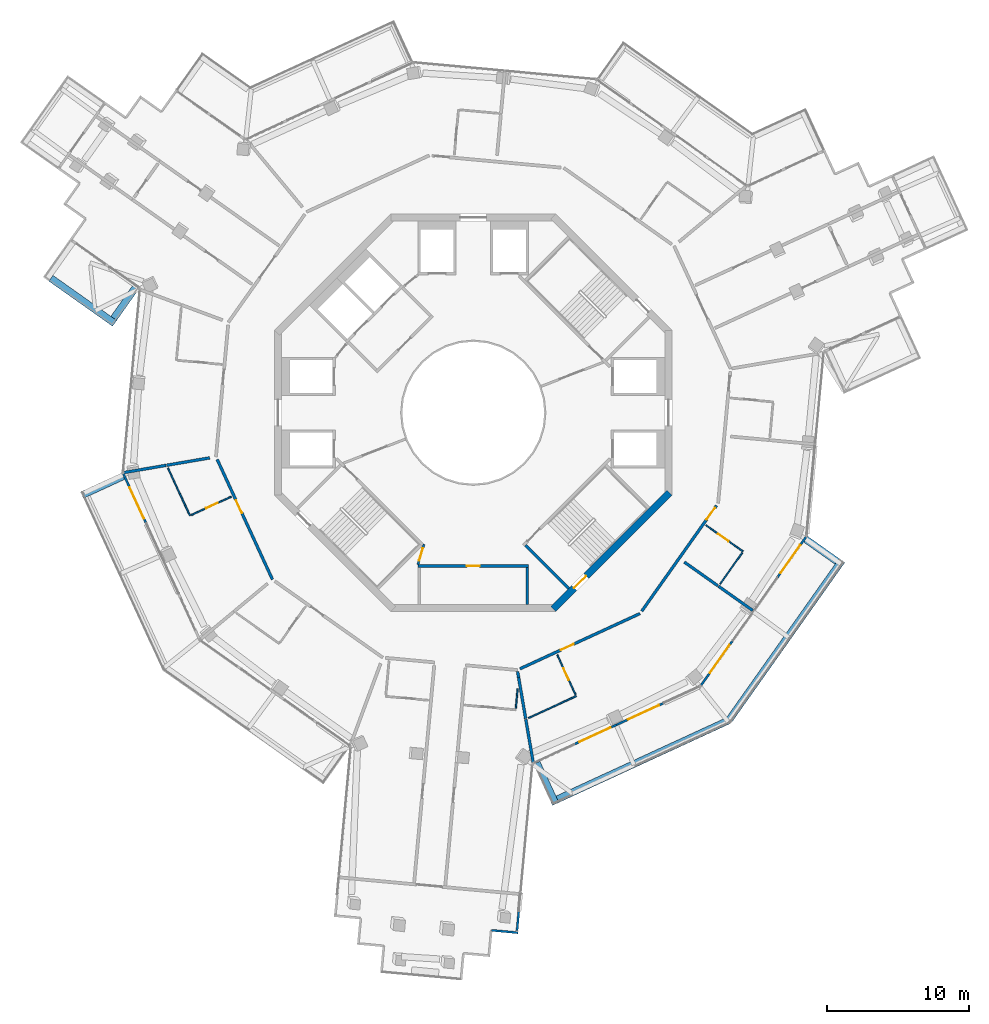
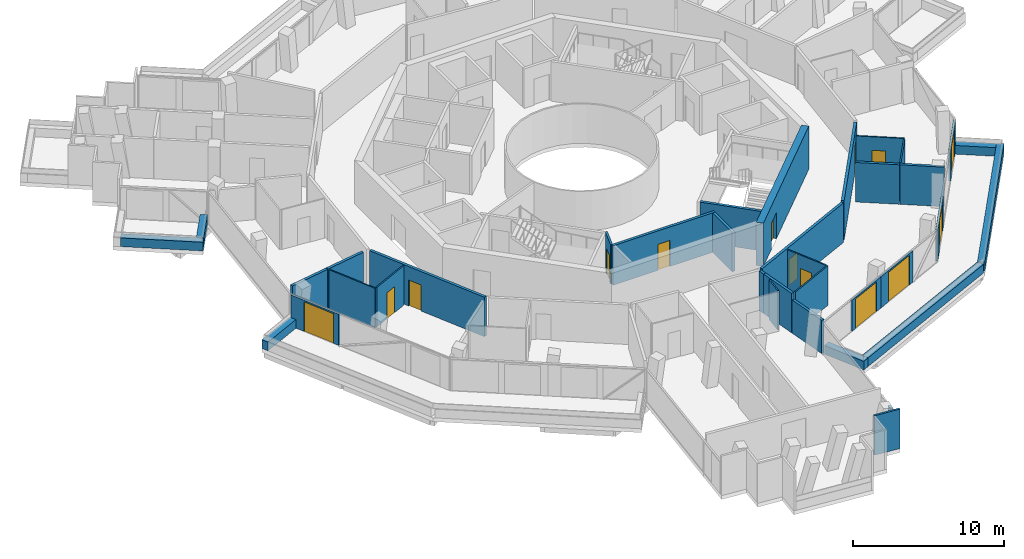
# One storey, part 16 of 23: 36 walls, 14 doors, 14 openings.
"""IFC4 building model written with IfcOpenShell, lengths in metres."""

from ifc_helpers import new_model, si_unit, direction, frame, frame_2d, origin, place, context, subcontext, project, spatial, rectangle, extrude, material, layer, layer_set, type_object, element, fill, save


model = new_model("IFC4")

# Units and contexts
model_context = context("Model", 3, precision=1e-05, world=origin(), true_north=direction((0.0, 1.0)))
body_context = subcontext(model_context, "Body", "Model", "MODEL_VIEW")
ifc_project = project(units=[si_unit("LENGTHUNIT", "METRE"), si_unit("AREAUNIT", "SQUARE_METRE"), si_unit("VOLUMEUNIT", "CUBIC_METRE"), si_unit("PLANEANGLEUNIT", "RADIAN"), si_unit("MASSUNIT", "GRAM", prefix="KILO")], contexts=[model_context])

# Site, building, storey
site_placement = place(None, origin())
site = spatial("IfcSite", under=ifc_project, at=site_placement, CompositionType="ELEMENT")
building_placement = place(site_placement, origin())
building = spatial("IfcBuilding", under=site, at=building_placement, Name="Verdalira Terraces Hotel", CompositionType="ELEMENT")
storey_placement = place(building_placement, frame((0.0, 0.0, 256.0)))
storey = spatial("IfcBuildingStorey", under=building, at=storey_placement, Name="L63", CompositionType="ELEMENT", Elevation=256.0)

# Walls
ifc_material_1 = material(Name="Concrete C40", Category="concrete")
ifc_layer_1 = layer(ifc_material_1, 0.5)
ifc_layer_set_1 = layer_set([ifc_layer_1], Name="Balcony planter trough with tree")
wall_type_1 = type_object("IfcWallType", Name="Balcony planter trough with tree", PredefinedType="SOLIDWALL", material=ifc_layer_set_1)
wall_1_placement = place(storey_placement, frame((-29.747559, 9.470703, 0.0), z_axis=(0.0, 0.0, 1.0), x_axis=(0.816360468, -0.577542714, 0.0)))
element("IfcWall", 1, at=wall_1_placement, inside=storey, type_object=wall_type_1, Name="Balcony planter", PredefinedType="SOLIDWALL", context=body_context, shape_type="SweptSolid", body=[
    extrude(rectangle(XDim=5.49585, YDim=0.5, at=frame_2d((2.748047, 0.0))), origin(), (0.0, 0.0, 1.0), 0.699951),
])
wall_2_placement = place(storey_placement, frame((-25.320801, 6.64502, 0.0), z_axis=(0.0, 0.0, 1.0), x_axis=(0.577552948, 0.816353227, 0.0)))
element("IfcWall", 2, at=wall_2_placement, inside=storey, type_object=wall_type_1, Name="Balcony planter", PredefinedType="SOLIDWALL", context=body_context, shape_type="SweptSolid", body=[
    extrude(rectangle(XDim=2.698975, YDim=0.5, at=frame_2d((1.349609, 0.0))), origin(), (0.0, 0.0, 1.0), 0.699951),
])
for number, where, z_axis, x_axis, name in (
    (3, (-24.649902, -4.467529, 0.0), (0.0, 0.0, 1.0), (-0.908343202, -0.418225571, 0.0), "Balcony planter"),
    (4, (4.467529, -24.649902, 0.0), (0.0, 0.0, 1.0), (0.418225571, -0.908343202, 0.0), "Balcony planter"),
):
    element("IfcWall", number, at=place(storey_placement, frame(where, z_axis=z_axis, x_axis=x_axis)), inside=storey, type_object=wall_type_1, Name=name, PredefinedType="SOLIDWALL", context=body_context, shape_type="SweptSolid", body=[
        extrude(rectangle(XDim=3.198975, YDim=0.5, at=frame_2d((1.599609, 0.0))), origin(), (0.0, 0.0, 1.0), 0.699951),
    ])
wall_3_placement = place(storey_placement, frame((5.927979, -27.224121, 0.0), z_axis=(0.0, 0.0, 1.0), x_axis=(0.908364238, 0.418179878, 0.0)))
element("IfcWall", 5, at=wall_3_placement, inside=storey, type_object=wall_type_1, Name="Balcony planter", PredefinedType="SOLIDWALL", context=body_context, shape_type="SweptSolid", body=[
    extrude(rectangle(XDim=13.223389, YDim=0.5, at=frame_2d((6.611816, 0.0))), origin(), (0.0, 0.0, 1.0), 0.699951),
])
wall_4_placement = place(storey_placement, frame((18.039062, -21.611572, 0.0), z_axis=(0.0, 0.0, 1.0), x_axis=(0.577575484, 0.816337283, 0.0)))
element("IfcWall", 6, at=wall_4_placement, inside=storey, type_object=wall_type_1, Name="Balcony planter", PredefinedType="SOLIDWALL", context=body_context, shape_type="SweptSolid", body=[
    extrude(rectangle(XDim=13.723389, YDim=0.5, at=frame_2d((6.861816, 0.0))), origin(), (0.0, 0.0, 1.0), 0.699951),
])
wall_5_placement = place(storey_placement, frame((25.616943, -10.468262, 0.0), z_axis=(0.0, 0.0, 1.0), x_axis=(-0.816353227, 0.577552948, 0.0)))
element("IfcWall", 7, at=wall_5_placement, inside=storey, type_object=wall_type_1, Name="Balcony planter", PredefinedType="SOLIDWALL", context=body_context, shape_type="SweptSolid", body=[
    extrude(rectangle(XDim=2.698975, YDim=0.5, at=frame_2d((1.349609, 0.0))), origin(), (0.0, 0.0, 1.0), 0.699951),
])
ifc_material_2 = material(Name="Moisture-resistant gypsum board partition")
ifc_layer_2 = layer(ifc_material_2, 0.10009765625)
ifc_layer_set_2 = layer_set([ifc_layer_2], Name="Bathroom partition 100 mm")
wall_type_2 = type_object("IfcWallType", Name="Bathroom partition 100 mm", PredefinedType="PARTITIONING", material=ifc_layer_set_2)
wall_6_placement = place(storey_placement, frame((-19.95459, -7.250977, 0.0), z_axis=(0.0, 0.0, 1.0), x_axis=(-0.418192811, 0.908358285, 0.0)))
element("IfcWall", 8, at=wall_6_placement, inside=storey, type_object=wall_type_2, Name="Bathroom partition", PredefinedType="PARTITIONING", context=body_context, shape_type="SweptSolid", body=[
    extrude(rectangle(XDim=3.704102, YDim=0.100098, at=frame_2d((1.852051, 0.0))), origin(), (0.0, 0.0, 1.0), 3.189941),
])

# Wall, opening, door
wall_7_placement = place(storey_placement, frame((-19.864014, -7.208984, 0.0), z_axis=(0.0, 0.0, 1.0), x_axis=(0.908360043, 0.418188991, 0.0)))
wall_7 = element("IfcWall", 9, at=wall_7_placement, inside=storey, type_object=wall_type_2, Name="Bathroom partition", PredefinedType="PARTITIONING", context=body_context, shape_type="SweptSolid", body=[
    extrude(rectangle(XDim=3.100098, YDim=0.100098, at=frame_2d((1.550049, 0.0))), origin(), (0.0, 0.0, 1.0), 3.189941),
])
opening_1_placement = place(wall_7_placement, frame((1.149902, 0.0, 0.0)))
opening_1 = element("IfcOpeningElement", 10, at=opening_1_placement, cuts=wall_7, Name="Opening L63-108", PredefinedType="OPENING", context=body_context, shape_type="SweptSolid", body=[
    extrude(rectangle(XDim=0.899902, YDim=2.100098, at=frame_2d((0.449951, 1.050049))), frame((0.0, 0.060059, 0.0), z_axis=(0.0, -1.0, 0.0), x_axis=(1.0, 0.0, 0.0)), (0.0, 0.0, 1.0), 0.120117),
])
ifc_material_3 = material(Name="Timber door", Category="wood")
door_type_1 = type_object("IfcDoorType", Name="Bathroom door 900 x 2100", OperationType="NOTDEFINED", PredefinedType="DOOR", material=ifc_material_3)
door_1_placement = place(opening_1_placement, origin())
door_1 = element("IfcDoor", 11, at=door_1_placement, inside=storey, type_object=door_type_1, Name="Bathroom door 6303", OperationType="SINGLE_SWING_LEFT", OverallHeight=2.10009765625, OverallWidth=0.89990234375, PredefinedType="DOOR", context=body_context, shape_type="SweptSolid", body=[
    extrude(rectangle(XDim=0.899902, YDim=2.100098, at=frame_2d((0.449951, 1.050049))), frame((0.0, 0.024902, 0.0), z_axis=(0.0, -1.0, 0.0), x_axis=(1.0, 0.0, 0.0)), (0.0, 0.0, 1.0), 0.050049),
])
fill(opening_1, door_1)

# Walls
wall_8_placement = place(storey_placement, frame((3.125244, -19.429688, 0.0), z_axis=(0.0, 0.0, 1.0), x_axis=(-0.091983488, -0.995760532, 0.0)))
element("IfcWall", 12, at=wall_8_placement, inside=storey, type_object=wall_type_2, Name="Bathroom partition", PredefinedType="PARTITIONING", context=body_context, shape_type="SweptSolid", body=[
    extrude(rectangle(XDim=1.398682, YDim=0.100098, at=frame_2d((0.699219, 0.0))), origin(), (0.0, 0.0, 1.0), 3.189941),
])
wall_9_placement = place(storey_placement, frame((7.250977, -19.95459, 0.0), z_axis=(0.0, 0.0, 1.0), x_axis=(-0.908358285, -0.418192811, 0.0)))
element("IfcWall", 13, at=wall_9_placement, inside=storey, type_object=wall_type_2, Name="Bathroom partition", PredefinedType="PARTITIONING", context=body_context, shape_type="SweptSolid", body=[
    extrude(rectangle(XDim=3.704102, YDim=0.100098, at=frame_2d((1.852051, 0.0))), origin(), (0.0, 0.0, 1.0), 3.189941),
])

# Wall, opening, door
wall_10_placement = place(storey_placement, frame((7.208984, -19.864014, 0.0), z_axis=(0.0, 0.0, 1.0), x_axis=(-0.418188991, 0.908360043, 0.0)))
wall_10 = element("IfcWall", 14, at=wall_10_placement, inside=storey, type_object=wall_type_2, Name="Bathroom partition", PredefinedType="PARTITIONING", context=body_context, shape_type="SweptSolid", body=[
    extrude(rectangle(XDim=3.100098, YDim=0.100098, at=frame_2d((1.550049, 0.0))), origin(), (0.0, 0.0, 1.0), 3.189941),
])
opening_2_placement = place(wall_10_placement, frame((1.149902, 0.0, 0.0)))
opening_2 = element("IfcOpeningElement", 15, at=opening_2_placement, cuts=wall_10, Name="Opening L63-116", PredefinedType="OPENING", context=body_context, shape_type="SweptSolid", body=[
    extrude(rectangle(XDim=0.899902, YDim=2.100098, at=frame_2d((0.449951, 1.050049))), frame((0.0, 0.060059, 0.0), z_axis=(0.0, -1.0, 0.0), x_axis=(1.0, 0.0, 0.0)), (0.0, 0.0, 1.0), 0.120117),
])
door_2_placement = place(opening_2_placement, origin())
door_2 = element("IfcDoor", 16, at=door_2_placement, inside=storey, type_object=door_type_1, Name="Bathroom door 6307", OperationType="SINGLE_SWING_LEFT", OverallHeight=2.10009765625, OverallWidth=0.89990234375, PredefinedType="DOOR", context=body_context, shape_type="SweptSolid", body=[
    extrude(rectangle(XDim=0.899902, YDim=2.100098, at=frame_2d((0.449951, 1.050049))), frame((0.0, 0.024902, 0.0), z_axis=(0.0, -1.0, 0.0), x_axis=(1.0, 0.0, 0.0)), (0.0, 0.0, 1.0), 0.050049),
])
fill(opening_2, door_2)

wall_11_placement = place(storey_placement, frame((19.005127, -9.771484, 0.0), z_axis=(0.0, 0.0, 1.0), x_axis=(-0.816318252, 0.577602382, 0.0)))
wall_11 = element("IfcWall", 17, at=wall_11_placement, inside=storey, type_object=wall_type_2, Name="Bathroom partition", PredefinedType="PARTITIONING", context=body_context, shape_type="SweptSolid", body=[
    extrude(rectangle(XDim=3.200195, YDim=0.100098, at=frame_2d((1.600098, 0.0))), origin(), (0.0, 0.0, 1.0), 3.189941),
])
opening_3_placement = place(wall_11_placement, frame((1.25, 0.0, 0.0)))
opening_3 = element("IfcOpeningElement", 18, at=opening_3_placement, cuts=wall_11, Name="Opening L63-118", PredefinedType="OPENING", context=body_context, shape_type="SweptSolid", body=[
    extrude(rectangle(XDim=0.899902, YDim=2.100098, at=frame_2d((0.449951, 1.050049))), frame((0.0, 0.060059, 0.0), z_axis=(0.0, -1.0, 0.0), x_axis=(1.0, 0.0, 0.0)), (0.0, 0.0, 1.0), 0.120117),
])
door_3_placement = place(opening_3_placement, origin())
door_3 = element("IfcDoor", 19, at=door_3_placement, inside=storey, type_object=door_type_1, Name="Bathroom door 6308", OperationType="SINGLE_SWING_LEFT", OverallHeight=2.10009765625, OverallWidth=0.89990234375, PredefinedType="DOOR", context=body_context, shape_type="SweptSolid", body=[
    extrude(rectangle(XDim=0.899902, YDim=2.100098, at=frame_2d((0.449951, 1.050049))), frame((0.0, 0.024902, 0.0), z_axis=(0.0, -1.0, 0.0), x_axis=(1.0, 0.0, 0.0)), (0.0, 0.0, 1.0), 0.050049),
])
fill(opening_3, door_3)

# Wall
wall_12_placement = place(storey_placement, frame((18.947266, -9.853027, 0.0), z_axis=(0.0, 0.0, 1.0), x_axis=(-0.57754557, -0.816358447, 0.0)))
element("IfcWall", 20, at=wall_12_placement, inside=storey, type_object=wall_type_2, Name="Bathroom partition", PredefinedType="PARTITIONING", context=body_context, shape_type="SweptSolid", body=[
    extrude(rectangle(XDim=2.699951, YDim=0.100098, at=frame_2d((1.350098, 0.0))), origin(), (0.0, 0.0, 1.0), 3.189941),
])

# Wall, opening, door
ifc_material_4 = material(Name="Concrete C50", Category="concrete")
ifc_layer_3 = layer(ifc_material_4, 0.199951171875)
ifc_layer_set_3 = layer_set([ifc_layer_3], Name="Core RC wall 200 C50")
wall_type_3 = type_object("IfcWallType", Name="Core RC wall 200 C50", PredefinedType="SOLIDWALL", material=ifc_layer_set_3)
wall_13_placement = place(storey_placement, frame((-3.899902, -10.800049, 0.0), z_axis=(0.0, 0.0, 1.0), x_axis=(1.0, 0.0, 0.0)))
wall_13 = element("IfcWall", 21, at=wall_13_placement, inside=storey, type_object=wall_type_3, Name="L63 store front wall", PredefinedType="SOLIDWALL", context=body_context, shape_type="SweptSolid", body=[
    extrude(rectangle(XDim=7.799805, YDim=0.199951, at=frame_2d((3.899902, 0.0))), origin(), (0.0, 0.0, 1.0), 3.189941),
])
opening_4_placement = place(wall_13_placement, frame((3.449951, 0.0, 0.0)))
opening_4 = element("IfcOpeningElement", 22, at=opening_4_placement, cuts=wall_13, Name="Opening L63-801", PredefinedType="OPENING", context=body_context, shape_type="SweptSolid", body=[
    extrude(rectangle(XDim=0.899902, YDim=2.100098, at=frame_2d((0.449951, 1.050049))), frame((0.0, 0.109863, 0.0), z_axis=(0.0, -1.0, 0.0), x_axis=(1.0, 0.0, 0.0)), (0.0, 0.0, 1.0), 0.219971),
])
ifc_material_5 = material(Name="Steel fire door", Category="steel")
door_type_2 = type_object("IfcDoorType", Name="Core room door 900 x 2100", OperationType="NOTDEFINED", PredefinedType="DOOR", material=ifc_material_5)
door_4_placement = place(opening_4_placement, origin())
door_4 = element("IfcDoor", 23, at=door_4_placement, inside=storey, type_object=door_type_2, Name="Store door L63 SS", OperationType="SINGLE_SWING_LEFT", OverallHeight=2.10009765625, OverallWidth=0.89990234375, PredefinedType="DOOR", context=body_context, shape_type="SweptSolid", body=[
    extrude(rectangle(XDim=0.899902, YDim=2.100098, at=frame_2d((0.449951, 1.050049))), frame((0.0, 0.024902, 0.0), z_axis=(0.0, -1.0, 0.0), x_axis=(1.0, 0.0, 0.0)), (0.0, 0.0, 1.0), 0.050049),
])
fill(opening_4, door_4)

# Walls
wall_14_placement = place(storey_placement, frame((3.800049, -10.899902, 0.0), z_axis=(0.0, 0.0, 1.0), x_axis=(0.0, -1.0, 0.0)))
element("IfcWall", 24, at=wall_14_placement, inside=storey, type_object=wall_type_3, Name="L63 store side wall", PredefinedType="SOLIDWALL", context=body_context, shape_type="SweptSolid", body=[
    extrude(rectangle(XDim=2.600098, YDim=0.199951, at=frame_2d((1.300049, 0.0))), origin(), (0.0, 0.0, 1.0), 3.189941),
])
wall_15_placement = place(storey_placement, frame((3.677002, -9.33374, 0.0), z_axis=(0.0, 0.0, 1.0), x_axis=(0.707078393, -0.707135168, 0.0)))
element("IfcWall", 25, at=wall_15_placement, inside=storey, type_object=wall_type_3, Name="L63 stair ST3 end wall 1", PredefinedType="SOLIDWALL", context=body_context, shape_type="SweptSolid", body=[
    extrude(rectangle(XDim=4.300049, YDim=0.199951, at=frame_2d((2.149902, 0.0))), origin(), (0.0, 0.0, 1.0), 3.189941),
])

# Wall, opening, door
ifc_material_6 = material(Name="Gypsum board partition")
ifc_layer_4 = layer(ifc_material_6, 0.14990234375)
ifc_layer_set_4 = layer_set([ifc_layer_4], Name="Core partition 150 mm")
wall_type_4 = type_object("IfcWallType", Name="Core partition 150 mm", PredefinedType="PARTITIONING", material=ifc_layer_set_4)
wall_16_placement = place(storey_placement, frame((-3.464844, -9.263184, 0.0), z_axis=(0.0, 0.0, 1.0), x_axis=(-0.289808785, -0.957084567, 0.0)))
wall_16 = element("IfcWall", 26, at=wall_16_placement, inside=storey, type_object=wall_type_4, Name="Room partition L63", PredefinedType="PARTITIONING", context=body_context, shape_type="SweptSolid", body=[
    extrude(rectangle(XDim=1.501221, YDim=0.149902, at=frame_2d((0.750488, 0.0))), origin(), (0.0, 0.0, 1.0), 3.189941),
])
opening_5_placement = place(wall_16_placement, frame((0.300781, 0.0, 0.0)))
opening_5 = element("IfcOpeningElement", 27, at=opening_5_placement, cuts=wall_16, Name="Opening L63-822", PredefinedType="OPENING", context=body_context, shape_type="SweptSolid", body=[
    extrude(rectangle(XDim=0.899902, YDim=2.100098, at=frame_2d((0.449951, 1.050049))), frame((0.0, 0.084961, 0.0), z_axis=(0.0, -1.0, 0.0), x_axis=(1.0, 0.0, 0.0)), (0.0, 0.0, 1.0), 0.169922),
])
door_5_placement = place(opening_5_placement, origin())
door_5 = element("IfcDoor", 28, at=door_5_placement, inside=storey, type_object=door_type_2, Name="Door L63 room5", OperationType="SINGLE_SWING_LEFT", OverallHeight=2.10009765625, OverallWidth=0.89990234375, PredefinedType="DOOR", context=body_context, shape_type="SweptSolid", body=[
    extrude(rectangle(XDim=0.899902, YDim=2.100098, at=frame_2d((0.449951, 1.050049))), frame((0.0, 0.024902, 0.0), z_axis=(0.0, -1.0, 0.0), x_axis=(1.0, 0.0, 0.0)), (0.0, 0.0, 1.0), 0.050049),
])
fill(opening_5, door_5)

ifc_material_7 = material(Name="Concrete C50", Category="concrete")
ifc_layer_5 = layer(ifc_material_7, 0.5)
ifc_layer_set_5 = layer_set([ifc_layer_5], Name="Core wall 500 C50")
wall_type_5 = type_object("IfcWallType", Name="Core wall 500 C50", PredefinedType="SHEAR", material=ifc_layer_set_5)
wall_17_placement = place(storey_placement, frame((5.622314, -13.823242, 0.0), z_axis=(0.0, 0.0, 1.0), x_axis=(0.707106781, 0.707106781, 0.0)))
wall_17 = element("IfcWall", 29, at=wall_17_placement, inside=storey, type_object=wall_type_5, Name="Core wall CW-L63-8", PredefinedType="SHEAR", context=body_context, shape_type="SweptSolid", body=[
    extrude(rectangle(XDim=11.5979, YDim=0.5, at=frame_2d((5.798828, 0.0))), origin(), (0.0, 0.0, 1.0), 3.5),
])
opening_6_placement = place(wall_17_placement, frame((2.099121, 0.0, 0.0)))
opening_6 = element("IfcOpeningElement", 30, at=opening_6_placement, cuts=wall_17, Name="Opening L63-818", PredefinedType="OPENING", context=body_context, shape_type="SweptSolid", body=[
    extrude(rectangle(XDim=1.199951, YDim=2.100098, at=frame_2d((0.600098, 1.050049))), frame((0.0, 0.26001, 0.0), z_axis=(0.0, -1.0, 0.0), x_axis=(1.0, 0.0, 0.0)), (0.0, 0.0, 1.0), 0.52002),
])
ifc_material_8 = material(Name="Steel fire door", Category="steel")
door_type_3 = type_object("IfcDoorType", Name="Stair door 1200 x 2100", OperationType="NOTDEFINED", PredefinedType="DOOR", material=ifc_material_8)
door_6_placement = place(opening_6_placement, origin())
door_6 = element("IfcDoor", 31, at=door_6_placement, inside=storey, type_object=door_type_3, Name="Stair exit door ST3 L63", OperationType="SINGLE_SWING_LEFT", OverallHeight=2.10009765625, OverallWidth=1.199951171875, PredefinedType="DOOR", context=body_context, shape_type="SweptSolid", body=[
    extrude(rectangle(XDim=1.199951, YDim=2.100098, at=frame_2d((0.600098, 1.050049))), frame((0.0, 0.024902, 0.0), z_axis=(0.0, -1.0, 0.0), x_axis=(1.0, 0.0, 0.0)), (0.0, 0.0, 1.0), 0.050049),
])
fill(opening_6, door_6)

# Walls
ifc_material_9 = material(Name="Fire-rated gypsum board wall")
ifc_layer_6 = layer(ifc_material_9, 0.199951171875)
ifc_layer_set_6 = layer_set([ifc_layer_6], Name="Demising wall 200 mm")
wall_type_6 = type_object("IfcWallType", Name="Demising wall 200 mm", PredefinedType="SOLIDWALL", material=ifc_layer_set_6)
wall_18_placement = place(storey_placement, frame((-21.637451, -3.706299, 0.0), z_axis=(0.0, 0.0, 1.0), x_axis=(-0.985638837, -0.168867058, 0.0)))
element("IfcWall", 32, at=wall_18_placement, inside=storey, type_object=wall_type_6, Name="Demising wall", PredefinedType="SOLIDWALL", context=body_context, shape_type="SweptSolid", body=[
    extrude(rectangle(XDim=3.011475, YDim=0.199951, at=frame_2d((1.505859, 0.0))), origin(), (0.0, 0.0, 1.0), 3.189941),
])
wall_19_placement = place(storey_placement, frame((-18.561768, -3.179443, 0.0), z_axis=(0.0, 0.0, 1.0), x_axis=(-0.985647935, -0.168813946, 0.0)))
element("IfcWall", 33, at=wall_19_placement, inside=storey, type_object=wall_type_6, Name="Demising wall", PredefinedType="SOLIDWALL", context=body_context, shape_type="SweptSolid", body=[
    extrude(rectangle(XDim=3.074707, YDim=0.199951, at=frame_2d((1.537354, 0.0))), origin(), (0.0, 0.0, 1.0), 3.189941),
])
wall_20_placement = place(storey_placement, frame((3.121338, -18.2229, 0.0), z_axis=(0.0, 0.0, 1.0), x_axis=(0.16885695, -0.985640569, 0.0)))
element("IfcWall", 34, at=wall_20_placement, inside=storey, type_object=wall_type_6, Name="Demising wall", PredefinedType="SOLIDWALL", context=body_context, shape_type="SweptSolid", body=[
    extrude(rectangle(XDim=0.443848, YDim=0.199951, at=frame_2d((0.221924, 0.0))), origin(), (0.0, 0.0, 1.0), 3.189941),
])
wall_21_placement = place(storey_placement, frame((3.196289, -18.6604, 0.0), z_axis=(0.0, 0.0, 1.0), x_axis=(0.168878085, -0.985636948, 0.0)))
element("IfcWall", 35, at=wall_21_placement, inside=storey, type_object=wall_type_6, Name="Demising wall", PredefinedType="SOLIDWALL", context=body_context, shape_type="SweptSolid", body=[
    extrude(rectangle(XDim=2.924561, YDim=0.199951, at=frame_2d((1.462402, 0.0))), origin(), (0.0, 0.0, 1.0), 3.189941),
])
wall_22_placement = place(storey_placement, frame((14.861816, -10.515137, 0.0), z_axis=(0.0, 0.0, 1.0), x_axis=(0.816343151, -0.577567191, 0.0)))
element("IfcWall", 36, at=wall_22_placement, inside=storey, type_object=wall_type_6, Name="Demising wall", PredefinedType="SOLIDWALL", context=body_context, shape_type="SweptSolid", body=[
    extrude(rectangle(XDim=2.904785, YDim=0.199951, at=frame_2d((1.452393, 0.0))), origin(), (0.0, 0.0, 1.0), 3.189941),
])
wall_23_placement = place(storey_placement, frame((17.270752, -12.219238, 0.0), z_axis=(0.0, 0.0, 1.0), x_axis=(0.816307209, -0.577617989, 0.0)))
element("IfcWall", 37, at=wall_23_placement, inside=storey, type_object=wall_type_6, Name="Demising wall", PredefinedType="SOLIDWALL", context=body_context, shape_type="SweptSolid", body=[
    extrude(rectangle(XDim=2.951904, YDim=0.199951, at=frame_2d((1.476074, 0.0))), origin(), (0.0, 0.0, 1.0), 3.189941),
])
ifc_material_10 = material(Name="Fire-rated gypsum board wall")
ifc_layer_7 = layer(ifc_material_10, 0.199951171875)
ifc_layer_set_7 = layer_set([ifc_layer_7], Name="Demising wall 200 mm to beam soffit")
wall_type_7 = type_object("IfcWallType", Name="Demising wall 200 mm to beam soffit", PredefinedType="SOLIDWALL", material=ifc_layer_set_7)
wall_24_placement = place(storey_placement, frame((3.697998, -21.588135, 0.0), z_axis=(0.0, 0.0, 1.0), x_axis=(0.168819944, -0.985646908, 0.0)))
element("IfcWall", 38, at=wall_24_placement, inside=storey, type_object=wall_type_7, Name="Demising wall", PredefinedType="SOLIDWALL", context=body_context, shape_type="SweptSolid", body=[
    extrude(rectangle(XDim=3.061523, YDim=0.199951, at=frame_2d((1.530762, 0.0))), origin(), (0.0, 0.0, 1.0), 2.689941),
])

# Wall, opening, door
ifc_material_11 = material(Name="Fire-rated gypsum board wall")
ifc_layer_8 = layer(ifc_material_11, 0.199951171875)
ifc_layer_set_8 = layer_set([ifc_layer_8], Name="Guest corridor wall 200 mm")
wall_type_8 = type_object("IfcWallType", Name="Guest corridor wall 200 mm", PredefinedType="SOLIDWALL", material=ifc_layer_set_8)
wall_25_placement = place(storey_placement, frame((-14.141113, -11.748535, 0.0), z_axis=(0.0, 0.0, 1.0), x_axis=(-0.418177241, 0.908365452, 0.0)))
wall_25 = element("IfcWall", 39, at=wall_25_placement, inside=storey, type_object=wall_type_8, Name="Guest corridor wall", PredefinedType="SOLIDWALL", context=body_context, shape_type="SweptSolid", body=[
    extrude(rectangle(XDim=9.31665, YDim=0.199951, at=frame_2d((4.658203, 0.0))), origin(), (0.0, 0.0, 1.0), 3.189941),
])
opening_7_placement = place(wall_25_placement, frame((5.149902, 0.0, 0.0)))
opening_7 = element("IfcOpeningElement", 40, at=opening_7_placement, cuts=wall_25, Name="Opening L63-107", PredefinedType="OPENING", context=body_context, shape_type="SweptSolid", body=[
    extrude(rectangle(XDim=1.0, YDim=2.100098, at=frame_2d((0.5, 1.050049))), frame((0.0, 0.109863, 0.0), z_axis=(0.0, -1.0, 0.0), x_axis=(1.0, 0.0, 0.0)), (0.0, 0.0, 1.0), 0.219971),
])
ifc_material_12 = material(Name="Timber fire door", Category="wood")
door_type_4 = type_object("IfcDoorType", Name="Guest entry door 1000 x 2100", OperationType="NOTDEFINED", PredefinedType="DOOR", material=ifc_material_12)
door_7_placement = place(opening_7_placement, origin())
door_7 = element("IfcDoor", 41, at=door_7_placement, inside=storey, type_object=door_type_4, Name="Guest entry door 6303", OperationType="SINGLE_SWING_LEFT", OverallHeight=2.10009765625, OverallWidth=1.0, PredefinedType="DOOR", context=body_context, shape_type="SweptSolid", body=[
    extrude(rectangle(XDim=1.0, YDim=2.100098, at=frame_2d((0.5, 1.050049))), frame((0.0, 0.024902, 0.0), z_axis=(0.0, -1.0, 0.0), x_axis=(1.0, 0.0, 0.0)), (0.0, 0.0, 1.0), 0.050049),
])
fill(opening_7, door_7)

wall_26_placement = place(storey_placement, frame((11.748047, -14.141357, 0.0), z_axis=(0.0, 0.0, 1.0), x_axis=(-0.908366241, -0.418175527, 0.0)))
wall_26 = element("IfcWall", 42, at=wall_26_placement, inside=storey, type_object=wall_type_8, Name="Guest corridor wall", PredefinedType="SOLIDWALL", context=body_context, shape_type="SweptSolid", body=[
    extrude(rectangle(XDim=9.316162, YDim=0.199951, at=frame_2d((4.658203, 0.0))), origin(), (0.0, 0.0, 1.0), 3.189941),
])
opening_8_placement = place(wall_26_placement, frame((5.149902, 0.0, 0.0)))
opening_8 = element("IfcOpeningElement", 43, at=opening_8_placement, cuts=wall_26, Name="Opening L63-115", PredefinedType="OPENING", context=body_context, shape_type="SweptSolid", body=[
    extrude(rectangle(XDim=1.0, YDim=2.100098, at=frame_2d((0.5, 1.050049))), frame((0.0, 0.109863, 0.0), z_axis=(0.0, -1.0, 0.0), x_axis=(1.0, 0.0, 0.0)), (0.0, 0.0, 1.0), 0.219971),
])
door_8_placement = place(opening_8_placement, origin())
door_8 = element("IfcDoor", 44, at=door_8_placement, inside=storey, type_object=door_type_4, Name="Guest entry door 6307", OperationType="SINGLE_SWING_LEFT", OverallHeight=2.10009765625, OverallWidth=1.0, PredefinedType="DOOR", context=body_context, shape_type="SweptSolid", body=[
    extrude(rectangle(XDim=1.0, YDim=2.100098, at=frame_2d((0.5, 1.050049))), frame((0.0, 0.024902, 0.0), z_axis=(0.0, -1.0, 0.0), x_axis=(1.0, 0.0, 0.0)), (0.0, 0.0, 1.0), 0.050049),
])
fill(opening_8, door_8)

wall_27_placement = place(storey_placement, frame((17.129395, -6.535889, 0.0), z_axis=(0.0, 0.0, 1.0), x_axis=(-0.57757139, -0.81634018, 0.0)))
wall_27 = element("IfcWall", 45, at=wall_27_placement, inside=storey, type_object=wall_type_8, Name="Guest corridor wall", PredefinedType="SOLIDWALL", context=body_context, shape_type="SweptSolid", body=[
    extrude(rectangle(XDim=9.115479, YDim=0.199951, at=frame_2d((4.557617, 0.0))), origin(), (0.0, 0.0, 1.0), 3.189941),
])
opening_9_placement = place(wall_27_placement, frame((0.199951, 0.0, 0.0)))
opening_9 = element("IfcOpeningElement", 46, at=opening_9_placement, cuts=wall_27, Name="Opening L63-117", PredefinedType="OPENING", context=body_context, shape_type="SweptSolid", body=[
    extrude(rectangle(XDim=1.0, YDim=2.100098, at=frame_2d((0.5, 1.050049))), frame((0.0, 0.109863, 0.0), z_axis=(0.0, -1.0, 0.0), x_axis=(1.0, 0.0, 0.0)), (0.0, 0.0, 1.0), 0.219971),
])
door_9_placement = place(opening_9_placement, origin())
door_9 = element("IfcDoor", 47, at=door_9_placement, inside=storey, type_object=door_type_4, Name="Guest entry door 6308", OperationType="SINGLE_SWING_LEFT", OverallHeight=2.10009765625, OverallWidth=1.0, PredefinedType="DOOR", context=body_context, shape_type="SweptSolid", body=[
    extrude(rectangle(XDim=1.0, YDim=2.100098, at=frame_2d((0.5, 1.050049))), frame((0.0, 0.024902, 0.0), z_axis=(0.0, -1.0, 0.0), x_axis=(1.0, 0.0, 0.0)), (0.0, 0.0, 1.0), 0.050049),
])
fill(opening_9, door_9)

# Walls
ifc_material_13 = material(Name="Terracotta cladding", Category="masonry")
ifc_layer_9 = layer(ifc_material_13, 0.14990234375)
ifc_layer_set_9 = layer_set([ifc_layer_9], Name="Terracotta clad wall 150")
wall_type_9 = type_object("IfcWallType", Name="Terracotta clad wall 150", PredefinedType="SOLIDWALL", material=ifc_layer_set_9)
wall_28_placement = place(storey_placement, frame((1.276123, -36.451172, 0.0), z_axis=(0.0, 0.0, 1.0), x_axis=(0.995753283, -0.092061929, 0.0)))
element("IfcWall", 48, at=wall_28_placement, inside=storey, type_object=wall_type_9, Name="Terracotta cladding wall", PredefinedType="SOLIDWALL", context=body_context, shape_type="SweptSolid", body=[
    extrude(rectangle(XDim=1.875, YDim=0.149902, at=frame_2d((0.9375, 0.0))), origin(), (0.0, 0.0, 1.0), 3.189941),
])
ifc_material_14 = material(Name="Terracotta cladding", Category="masonry")
ifc_layer_10 = layer(ifc_material_14, 0.14990234375)
ifc_layer_set_10 = layer_set([ifc_layer_10], Name="Terracotta column pier 150")
wall_type_10 = type_object("IfcWallType", Name="Terracotta column pier 150", PredefinedType="SOLIDWALL", material=ifc_layer_set_10)
wall_29_placement = place(storey_placement, frame((3.081787, -36.472412, 0.0), z_axis=(0.0, 0.0, 1.0), x_axis=(0.092089441, 0.995750739, 0.0)))
element("IfcWall", 49, at=wall_29_placement, inside=storey, type_object=wall_type_10, Name="Terracotta column pier", PredefinedType="SOLIDWALL", context=body_context, shape_type="SweptSolid", body=[
    extrude(rectangle(XDim=1.360107, YDim=0.149902, at=frame_2d((0.680176, 0.0))), origin(), (0.0, 0.0, 1.0), 2.524902),
])

# Wall, opening, door
ifc_material_15 = material(Name="Terracotta cladding", Category="masonry")
ifc_layer_11 = layer(ifc_material_15, 0.14990234375)
ifc_layer_set_11 = layer_set([ifc_layer_11], Name="Terracotta door pier 150")
wall_type_11 = type_object("IfcWallType", Name="Terracotta door pier 150", PredefinedType="SOLIDWALL", material=ifc_layer_set_11)
wall_30_placement = place(storey_placement, frame((-24.643555, -4.299805, 0.0), z_axis=(0.0, 0.0, 1.0), x_axis=(0.418188304, -0.908360359, 0.0)))
wall_30 = element("IfcWall", 50, at=wall_30_placement, inside=storey, type_object=wall_type_11, Name="Terracotta door pier", PredefinedType="SOLIDWALL", context=body_context, shape_type="SweptSolid", body=[
    extrude(rectangle(XDim=3.863037, YDim=0.149902, at=frame_2d((1.931641, 0.0))), origin(), (0.0, 0.0, 1.0), 2.524902),
])
opening_10_placement = place(wall_30_placement, frame((1.062988, 0.0, 0.0)))
opening_10 = element("IfcOpeningElement", 51, at=opening_10_placement, cuts=wall_30, Name="Opening L63-B04", PredefinedType="OPENING", context=body_context, shape_type="SweptSolid", body=[
    extrude(rectangle(XDim=2.399902, YDim=2.399902, at=frame_2d((1.199951, 1.199951))), frame((0.0, 0.084961, 0.0), z_axis=(0.0, -1.0, 0.0), x_axis=(1.0, 0.0, 0.0)), (0.0, 0.0, 1.0), 0.169922),
])
ifc_material_16 = material(Name="Clear glass", Category="glass")
door_type_5 = type_object("IfcDoorType", Name="Balcony sliding door 2400x2400", OperationType="NOTDEFINED", PredefinedType="DOOR", material=ifc_material_16)
door_10_placement = place(opening_10_placement, origin())
door_10 = element("IfcDoor", 52, at=door_10_placement, inside=storey, type_object=door_type_5, Name="Balcony sliding door", OperationType="SLIDING_TO_LEFT", OverallHeight=2.39990234375, OverallWidth=2.39990234375, PredefinedType="DOOR", context=body_context, shape_type="SweptSolid", body=[
    extrude(rectangle(XDim=2.399902, YDim=2.399902, at=frame_2d((1.199951, 1.199951))), frame((0.0, 0.024902, 0.0), z_axis=(0.0, -1.0, 0.0), x_axis=(1.0, 0.0, 0.0)), (0.0, 0.0, 1.0), 0.050049),
])
fill(opening_10, door_10)

wall_31_placement = place(storey_placement, frame((7.115479, -23.347168, 0.0), z_axis=(0.0, 0.0, 1.0), x_axis=(0.908374691, 0.418157172, 0.0)))
wall_31 = element("IfcWall", 53, at=wall_31_placement, inside=storey, type_object=wall_type_11, Name="Terracotta door pier", PredefinedType="SOLIDWALL", context=body_context, shape_type="SweptSolid", body=[
    extrude(rectangle(XDim=3.299805, YDim=0.149902, at=frame_2d((1.649902, 0.0))), origin(), (0.0, 0.0, 1.0), 2.524902),
])
opening_11_placement = place(wall_31_placement, frame((0.399902, 0.0, 0.0)))
opening_11 = element("IfcOpeningElement", 54, at=opening_11_placement, cuts=wall_31, Name="Opening L63-B08", PredefinedType="OPENING", context=body_context, shape_type="SweptSolid", body=[
    extrude(rectangle(XDim=2.399902, YDim=2.399902, at=frame_2d((1.199951, 1.199951))), frame((0.0, 0.084961, 0.0), z_axis=(0.0, -1.0, 0.0), x_axis=(1.0, 0.0, 0.0)), (0.0, 0.0, 1.0), 0.169922),
])
door_11_placement = place(opening_11_placement, origin())
door_11 = element("IfcDoor", 55, at=door_11_placement, inside=storey, type_object=door_type_5, Name="Balcony sliding door", OperationType="SLIDING_TO_RIGHT", OverallHeight=2.39990234375, OverallWidth=2.39990234375, PredefinedType="DOOR", context=body_context, shape_type="SweptSolid", body=[
    extrude(rectangle(XDim=2.399902, YDim=2.399902, at=frame_2d((1.199951, 1.199951))), frame((0.0, 0.024902, 0.0), z_axis=(0.0, -1.0, 0.0), x_axis=(1.0, 0.0, 0.0)), (0.0, 0.0, 1.0), 0.050049),
])
fill(opening_11, door_11)

wall_32_placement = place(storey_placement, frame((10.113037, -21.967285, 0.0), z_axis=(0.0, 0.0, 1.0), x_axis=(0.908353196, 0.418203864, 0.0)))
wall_32 = element("IfcWall", 56, at=wall_32_placement, inside=storey, type_object=wall_type_11, Name="Terracotta door pier", PredefinedType="SOLIDWALL", context=body_context, shape_type="SweptSolid", body=[
    extrude(rectangle(XDim=3.661377, YDim=0.149902, at=frame_2d((1.830566, 0.0))), origin(), (0.0, 0.0, 1.0), 2.524902),
])
opening_12_placement = place(wall_32_placement, frame((0.861328, 0.0, 0.0)))
opening_12 = element("IfcOpeningElement", 57, at=opening_12_placement, cuts=wall_32, Name="Opening L63-B09", PredefinedType="OPENING", context=body_context, shape_type="SweptSolid", body=[
    extrude(rectangle(XDim=2.399902, YDim=2.399902, at=frame_2d((1.199951, 1.199951))), frame((0.0, 0.084961, 0.0), z_axis=(0.0, -1.0, 0.0), x_axis=(1.0, 0.0, 0.0)), (0.0, 0.0, 1.0), 0.169922),
])
door_12_placement = place(opening_12_placement, origin())
door_12 = element("IfcDoor", 58, at=door_12_placement, inside=storey, type_object=door_type_5, Name="Balcony sliding door", OperationType="SLIDING_TO_LEFT", OverallHeight=2.39990234375, OverallWidth=2.39990234375, PredefinedType="DOOR", context=body_context, shape_type="SweptSolid", body=[
    extrude(rectangle(XDim=2.399902, YDim=2.399902, at=frame_2d((1.199951, 1.199951))), frame((0.0, 0.024902, 0.0), z_axis=(0.0, -1.0, 0.0), x_axis=(1.0, 0.0, 0.0)), (0.0, 0.0, 1.0), 0.050049),
])
fill(opening_12, door_12)

wall_33_placement = place(storey_placement, frame((16.04541, -19.192139, 0.0), z_axis=(0.0, 0.0, 1.0), x_axis=(0.577573622, 0.816338601, 0.0)))
wall_33 = element("IfcWall", 59, at=wall_33_placement, inside=storey, type_object=wall_type_11, Name="Terracotta door pier", PredefinedType="SOLIDWALL", context=body_context, shape_type="SweptSolid", body=[
    extrude(rectangle(XDim=3.863037, YDim=0.149902, at=frame_2d((1.931641, 0.0))), origin(), (0.0, 0.0, 1.0), 2.524902),
])
opening_13_placement = place(wall_33_placement, frame((1.062988, 0.0, 0.0)))
opening_13 = element("IfcOpeningElement", 60, at=opening_13_placement, cuts=wall_33, Name="Opening L63-B10", PredefinedType="OPENING", context=body_context, shape_type="SweptSolid", body=[
    extrude(rectangle(XDim=2.399902, YDim=2.399902, at=frame_2d((1.199951, 1.199951))), frame((0.0, 0.084961, 0.0), z_axis=(0.0, -1.0, 0.0), x_axis=(1.0, 0.0, 0.0)), (0.0, 0.0, 1.0), 0.169922),
])
door_13_placement = place(opening_13_placement, origin())
door_13 = element("IfcDoor", 61, at=door_13_placement, inside=storey, type_object=door_type_5, Name="Balcony sliding door", OperationType="SLIDING_TO_LEFT", OverallHeight=2.39990234375, OverallWidth=2.39990234375, PredefinedType="DOOR", context=body_context, shape_type="SweptSolid", body=[
    extrude(rectangle(XDim=2.399902, YDim=2.399902, at=frame_2d((1.199951, 1.199951))), frame((0.0, 0.024902, 0.0), z_axis=(0.0, -1.0, 0.0), x_axis=(1.0, 0.0, 0.0)), (0.0, 0.0, 1.0), 0.050049),
])
fill(opening_13, door_13)

wall_34_placement = place(storey_placement, frame((21.414307, -11.60376, 0.0), z_axis=(0.0, 0.0, 1.0), x_axis=(0.577574582, 0.816337922, 0.0)))
wall_34 = element("IfcWall", 62, at=wall_34_placement, inside=storey, type_object=wall_type_11, Name="Terracotta door pier", PredefinedType="SOLIDWALL", context=body_context, shape_type="SweptSolid", body=[
    extrude(rectangle(XDim=3.50415, YDim=0.149902, at=frame_2d((1.751953, 0.0))), origin(), (0.0, 0.0, 1.0), 2.524902),
])
opening_14_placement = place(wall_34_placement, frame((0.399902, 0.0, 0.0)))
opening_14 = element("IfcOpeningElement", 63, at=opening_14_placement, cuts=wall_34, Name="Opening L63-B11", PredefinedType="OPENING", context=body_context, shape_type="SweptSolid", body=[
    extrude(rectangle(XDim=2.399902, YDim=2.399902, at=frame_2d((1.199951, 1.199951))), frame((0.0, 0.084961, 0.0), z_axis=(0.0, -1.0, 0.0), x_axis=(1.0, 0.0, 0.0)), (0.0, 0.0, 1.0), 0.169922),
])
door_14_placement = place(opening_14_placement, origin())
door_14 = element("IfcDoor", 64, at=door_14_placement, inside=storey, type_object=door_type_5, Name="Balcony sliding door", OperationType="SLIDING_TO_RIGHT", OverallHeight=2.39990234375, OverallWidth=2.39990234375, PredefinedType="DOOR", context=body_context, shape_type="SweptSolid", body=[
    extrude(rectangle(XDim=2.399902, YDim=2.399902, at=frame_2d((1.199951, 1.199951))), frame((0.0, 0.024902, 0.0), z_axis=(0.0, -1.0, 0.0), x_axis=(1.0, 0.0, 0.0)), (0.0, 0.0, 1.0), 0.050049),
])
fill(opening_14, door_14)

save(model, "model.ifc")
